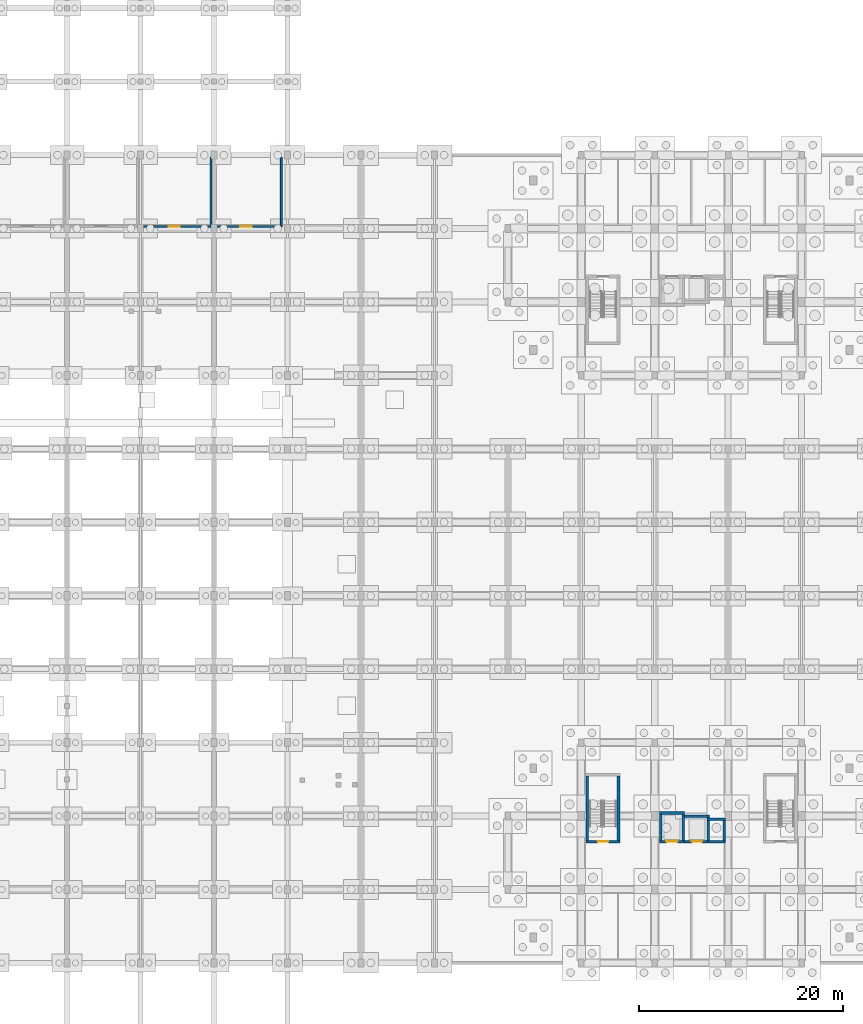
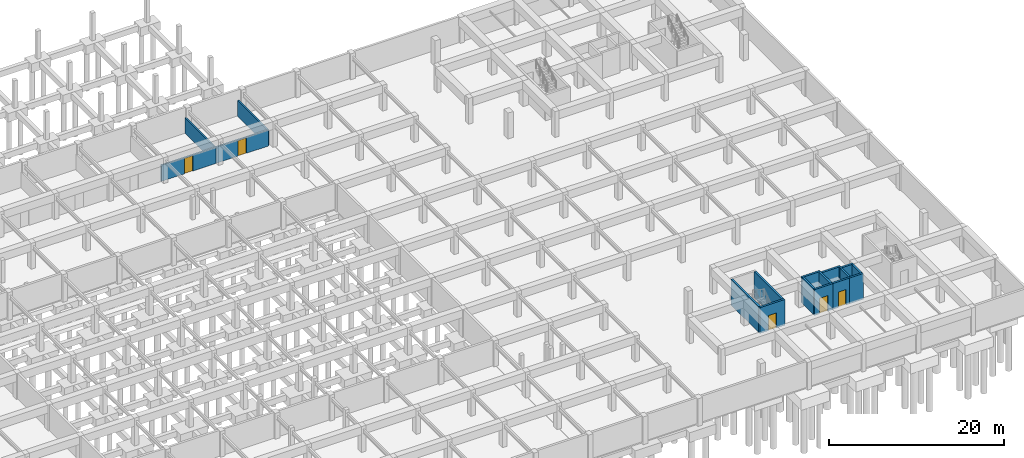
# One storey, part 29 of 36: 17 walls, 5 doors, 5 openings.
"""IFC4 building model written with IfcOpenShell, lengths in metres."""

from ifc_helpers import new_model, si_unit, direction, frame, frame_2d, origin, place, context, subcontext, project, spatial, rectangle, extrude, material, layer, layer_set, type_object, element, fill, save


model = new_model("IFC4")

# Units and contexts
model_context = context("Model", 3, precision=1e-05, world=origin(), true_north=direction((0.0, 1.0)))
body_context = subcontext(model_context, "Body", "Model", "MODEL_VIEW")
ifc_project = project(units=[si_unit("LENGTHUNIT", "METRE"), si_unit("AREAUNIT", "SQUARE_METRE"), si_unit("VOLUMEUNIT", "CUBIC_METRE"), si_unit("PLANEANGLEUNIT", "RADIAN"), si_unit("MASSUNIT", "GRAM", prefix="KILO")], contexts=[model_context])

# Site, building, storey
site_placement = place(None, origin())
site = spatial("IfcSite", under=ifc_project, at=site_placement, CompositionType="ELEMENT")
building_placement = place(site_placement, origin())
building = spatial("IfcBuilding", under=site, at=building_placement, Name="Ochrevale Crest", CompositionType="ELEMENT")
storey_placement = place(building_placement, frame((0.0, 0.0, -3.60009765625)))
storey = spatial("IfcBuildingStorey", under=building, at=storey_placement, Name="B1", CompositionType="ELEMENT", Elevation=-3.60009765625)

# Wall, opening, door
ifc_material_1 = material(Name="Precast concrete C50/60", Category="concrete")
ifc_layer_1 = layer(ifc_material_1, 0.2548828125)
ifc_layer_set_1 = layer_set([ifc_layer_1], Name="Precast concrete C50/60")
wall_type_1 = type_object("IfcWallType", Name="WL-CORE-255", PredefinedType="SHEAR", material=ifc_layer_set_1)
wall_1_placement = place(storey_placement, frame((137.2724609375, 26.300048828125, 0.0), z_axis=(0.0, 0.0, 1.0), x_axis=(1.0, 0.0, 0.0)))
wall_1 = element("IfcWall", 1, at=wall_1_placement, inside=storey, type_object=wall_type_1, Name="Block C B1 Stair 1 precast core shear wall S", PredefinedType="SHEAR", context=body_context, shape_type="SweptSolid", body=[
    extrude(rectangle(XDim=3.304931640625, YDim=0.2548828125, at=frame_2d((1.65234375, 0.0))), origin(), (0.0, 0.0, 1.0), 3.60009765625),
])
opening_1_placement = place(wall_1_placement, frame((2.177490234375, 0.0, 0.0), z_axis=(0.0, 0.0, 1.0), x_axis=(-1.0, 0.0, 0.0)))
opening_1 = element("IfcOpeningElement", 2, at=opening_1_placement, cuts=wall_1, Name="Opening FD03", PredefinedType="OPENING", context=body_context, shape_type="SweptSolid", body=[
    extrude(rectangle(XDim=1.050048828125, YDim=2.1201171875, at=frame_2d((0.52490234375, 1.06005859375))), frame((0.0, 0.137451171875, 0.0), z_axis=(0.0, -1.0, 0.0), x_axis=(1.0, 0.0, 0.0)), (0.0, 0.0, 1.0), 0.27490234375),
])
ifc_material_2 = material(Name="Solid-core FSC hardwood", Category="wood")
door_type_1 = type_object("IfcDoorType", Name="DR-ST-1050", OperationType="NOTDEFINED", PredefinedType="DOOR", material=ifc_material_2)
door_1_placement = place(opening_1_placement, origin())
door_1 = element("IfcDoor", 3, at=door_1_placement, inside=storey, type_object=door_type_1, Name="Block C B1 fire stair 1 door", OperationType="SINGLE_SWING_RIGHT", OverallHeight=2.1201171875, OverallWidth=1.050048828125, PredefinedType="DOOR", context=body_context, shape_type="SweptSolid", body=[
    extrude(rectangle(XDim=1.050048828125, YDim=2.1201171875, at=frame_2d((0.52490234375, 1.06005859375))), frame((0.0, 0.02490234375, 0.0), z_axis=(0.0, -1.0, 0.0), x_axis=(1.0, 0.0, 0.0)), (0.0, 0.0, 1.0), 0.050048828125),
])
fill(opening_1, door_1)

# Walls
for number, where, z_axis, x_axis, name in (
    (4, (137.39990234375, 26.427490234375, 0.0), (0.0, 0.0, 1.0), (0.0, 1.0, 0.0), "Block C B1 Stair 1 precast core shear wall W"),
    (5, (140.449951171875, 26.427490234375, 0.0), (0.0, 0.0, 1.0), (0.0, 1.0, 0.0), "Block C B1 Stair 1 precast core shear wall E"),
):
    element("IfcWall", number, at=place(storey_placement, frame(where, z_axis=z_axis, x_axis=x_axis)), inside=storey, type_object=wall_type_1, Name=name, PredefinedType="SHEAR", context=body_context, shape_type="SweptSolid", body=[
        extrude(rectangle(XDim=6.294921875, YDim=0.2548828125, at=frame_2d((3.1474609375, 0.0))), origin(), (0.0, 0.0, 1.0), 3.60009765625),
    ])

# Wall, opening, door
wall_2_placement = place(storey_placement, frame((144.472412109375, 26.300048828125, 0.0), z_axis=(0.0, 0.0, 1.0), x_axis=(1.0, 0.0, 0.0)))
wall_2 = element("IfcWall", 6, at=wall_2_placement, inside=storey, type_object=wall_type_1, Name="Block C B1 Lift 1 precast shaft shear wall S", PredefinedType="SHEAR", context=body_context, shape_type="SweptSolid", body=[
    extrude(rectangle(XDim=2.455078125, YDim=0.2548828125, at=frame_2d((1.2275390625, 0.0))), origin(), (0.0, 0.0, 1.0), 3.60009765625),
])
opening_2_placement = place(wall_2_placement, frame((0.677490234375, 0.0, 0.0)))
opening_2 = element("IfcOpeningElement", 7, at=opening_2_placement, cuts=wall_2, Name="Opening LD01", PredefinedType="OPENING", context=body_context, shape_type="SweptSolid", body=[
    extrude(rectangle(XDim=1.10009765625, YDim=2.14990234375, at=frame_2d((0.550048828125, 1.074951171875))), frame((0.0, 0.137451171875, 0.0), z_axis=(0.0, -1.0, 0.0), x_axis=(1.0, 0.0, 0.0)), (0.0, 0.0, 1.0), 0.27490234375),
])
door_type_2 = type_object("IfcDoorType", Name="DR-LIFT-1100", OperationType="NOTDEFINED", PredefinedType="DOOR", material=ifc_material_2)
door_2_placement = place(opening_2_placement, origin())
door_2 = element("IfcDoor", 8, at=door_2_placement, inside=storey, type_object=door_type_2, Name="Lift LF-C1 B1 sliding landing door", OperationType="SLIDING_TO_LEFT", OverallHeight=2.14990234375, OverallWidth=1.10009765625, PredefinedType="DOOR", context=body_context, shape_type="SweptSolid", body=[
    extrude(rectangle(XDim=1.10009765625, YDim=2.14990234375, at=frame_2d((0.550048828125, 1.074951171875))), frame((0.0, 0.02490234375, 0.0), z_axis=(0.0, -1.0, 0.0), x_axis=(1.0, 0.0, 0.0)), (0.0, 0.0, 1.0), 0.050048828125),
])
fill(opening_2, door_2)

# Walls
wall_3_placement = place(storey_placement, frame((144.472412109375, 29.10009765625, 0.0), z_axis=(0.0, 0.0, 1.0), x_axis=(1.0, 0.0, 0.0)))
element("IfcWall", 9, at=wall_3_placement, inside=storey, type_object=wall_type_1, Name="Block C B1 Lift 1 precast shaft shear wall N", PredefinedType="SHEAR", context=body_context, shape_type="SweptSolid", body=[
    extrude(rectangle(XDim=2.455078125, YDim=0.2548828125, at=frame_2d((1.2275390625, 0.0))), origin(), (0.0, 0.0, 1.0), 3.60009765625),
])
for number, where, z_axis, x_axis, name in (
    (10, (144.60009765625, 26.427490234375, 0.0), (0.0, 0.0, 1.0), (0.0, 1.0, 0.0), "Block C B1 Lift 1 precast shaft shear wall W"),
    (11, (146.800048828125, 26.427490234375, 0.0), (0.0, 0.0, 1.0), (0.0, 1.0, 0.0), "Block C B1 Lift 1 precast shaft shear wall E"),
):
    element("IfcWall", number, at=place(storey_placement, frame(where, z_axis=z_axis, x_axis=x_axis)), inside=storey, type_object=wall_type_1, Name=name, PredefinedType="SHEAR", context=body_context, shape_type="SweptSolid", body=[
        extrude(rectangle(XDim=2.544921875, YDim=0.2548828125, at=frame_2d((1.2724609375, 0.0))), origin(), (0.0, 0.0, 1.0), 3.60009765625),
    ])

# Wall, opening, door
wall_4_placement = place(storey_placement, frame((146.922607421875, 26.300048828125, 0.0), z_axis=(0.0, 0.0, 1.0), x_axis=(1.0, 0.0, 0.0)))
wall_4 = element("IfcWall", 12, at=wall_4_placement, inside=storey, type_object=wall_type_1, Name="Block C B1 Lift 2 precast shaft shear wall S", PredefinedType="SHEAR", context=body_context, shape_type="SweptSolid", body=[
    extrude(rectangle(XDim=2.454833984375, YDim=0.2548828125, at=frame_2d((1.2275390625, 0.0))), origin(), (0.0, 0.0, 1.0), 3.60009765625),
])
opening_3_placement = place(wall_4_placement, frame((0.7275390625, 0.0, 0.0)))
opening_3 = element("IfcOpeningElement", 13, at=opening_3_placement, cuts=wall_4, Name="Opening LD02", PredefinedType="OPENING", context=body_context, shape_type="SweptSolid", body=[
    extrude(rectangle(XDim=1.0, YDim=2.14990234375, at=frame_2d((0.5, 1.074951171875))), frame((0.0, 0.137451171875, 0.0), z_axis=(0.0, -1.0, 0.0), x_axis=(1.0, 0.0, 0.0)), (0.0, 0.0, 1.0), 0.27490234375),
])
door_type_3 = type_object("IfcDoorType", Name="DR-LIFT-1000", OperationType="NOTDEFINED", PredefinedType="DOOR", material=ifc_material_2)
door_3_placement = place(opening_3_placement, origin())
door_3 = element("IfcDoor", 14, at=door_3_placement, inside=storey, type_object=door_type_3, Name="Lift LP-C2 B1 sliding landing door", OperationType="SLIDING_TO_RIGHT", OverallHeight=2.14990234375, OverallWidth=1.0, PredefinedType="DOOR", context=body_context, shape_type="SweptSolid", body=[
    extrude(rectangle(XDim=1.0, YDim=2.14990234375, at=frame_2d((0.5, 1.074951171875))), frame((0.0, 0.02490234375, 0.0), z_axis=(0.0, -1.0, 0.0), x_axis=(1.0, 0.0, 0.0)), (0.0, 0.0, 1.0), 0.050048828125),
])
fill(opening_3, door_3)

# Walls
wall_5_placement = place(storey_placement, frame((146.922607421875, 28.800048828125, 0.0), z_axis=(0.0, 0.0, 1.0), x_axis=(1.0, 0.0, 0.0)))
element("IfcWall", 15, at=wall_5_placement, inside=storey, type_object=wall_type_1, Name="Block C B1 Lift 2 precast shaft shear wall N", PredefinedType="SHEAR", context=body_context, shape_type="SweptSolid", body=[
    extrude(rectangle(XDim=2.454833984375, YDim=0.2548828125, at=frame_2d((1.2275390625, 0.0))), origin(), (0.0, 0.0, 1.0), 3.60009765625),
])
wall_6_placement = place(storey_placement, frame((149.25, 26.427490234375, 0.0), z_axis=(0.0, 0.0, 1.0), x_axis=(0.0, 1.0, 0.0)))
element("IfcWall", 16, at=wall_6_placement, inside=storey, type_object=wall_type_1, Name="Block C B1 Lift 2 precast shaft shear wall E", PredefinedType="SHEAR", context=body_context, shape_type="SweptSolid", body=[
    extrude(rectangle(XDim=2.2451171875, YDim=0.2548828125, at=frame_2d((1.12255859375, 0.0))), origin(), (0.0, 0.0, 1.0), 3.60009765625),
])
for number, where, z_axis, x_axis, name in (
    (17, (149.12255859375, 26.300048828125, 0.0), (0.0, 0.0, 1.0), (1.0, 0.0, 0.0), "Block C B1 services riser shaft core wall S"),
    (18, (149.12255859375, 28.5, 0.0), (0.0, 0.0, 1.0), (1.0, 0.0, 0.0), "Block C B1 services riser shaft core wall N"),
):
    element("IfcWall", number, at=place(storey_placement, frame(where, z_axis=z_axis, x_axis=x_axis)), inside=storey, type_object=wall_type_1, Name=name, PredefinedType="SHEAR", context=body_context, shape_type="SweptSolid", body=[
        extrude(rectangle(XDim=1.804931640625, YDim=0.2548828125, at=frame_2d((0.90234375, 0.0))), origin(), (0.0, 0.0, 1.0), 3.60009765625),
    ])
wall_7_placement = place(storey_placement, frame((150.800048828125, 26.427490234375, 0.0), z_axis=(0.0, 0.0, 1.0), x_axis=(0.0, 1.0, 0.0)))
element("IfcWall", 19, at=wall_7_placement, inside=storey, type_object=wall_type_1, Name="Block C B1 services riser shaft core wall E", PredefinedType="SHEAR", context=body_context, shape_type="SweptSolid", body=[
    extrude(rectangle(XDim=1.945068359375, YDim=0.2548828125, at=frame_2d((0.97265625, 0.0))), origin(), (0.0, 0.0, 1.0), 3.60009765625),
])

# Wall, opening, door
ifc_material_3 = material(Name="Core-filled masonry blockwork", Category="masonry")
ifc_layer_2 = layer(ifc_material_3, 0.195068359375)
ifc_layer_set_2 = layer_set([ifc_layer_2], Name="Core-filled masonry blockwork")
wall_type_2 = type_object("IfcWallType", Name="WL-PLNT-195", PredefinedType="PARTITIONING", material=ifc_layer_set_2)
wall_8_placement = place(storey_placement, frame((93.300048828125, 86.60009765625, 0.0), z_axis=(0.0, 0.0, 1.0), x_axis=(1.0, 0.0, 0.0)))
wall_8 = element("IfcWall", 20, at=wall_8_placement, inside=storey, type_object=wall_type_2, Name="Central Heat-Pump Hot Water Plant front wall", PredefinedType="PARTITIONING", context=body_context, shape_type="SweptSolid", body=[
    extrude(rectangle(XDim=7.199951171875, YDim=0.195068359375, at=frame_2d((3.60009765625, 0.0))), origin(), (0.0, 0.0, 1.0), 2.25),
])
opening_4_placement = place(wall_8_placement, frame((4.16015625, 0.0, 0.0), z_axis=(0.0, 0.0, 1.0), x_axis=(-1.0, 0.0, 0.0)))
opening_4 = element("IfcOpeningElement", 21, at=opening_4_placement, cuts=wall_8, Name="Opening FD04", PredefinedType="OPENING", context=body_context, shape_type="SweptSolid", body=[
    extrude(rectangle(XDim=1.1201171875, YDim=2.14990234375, at=frame_2d((0.56005859375, 1.074951171875))), frame((0.0, 0.107421875, 0.0), z_axis=(0.0, -1.0, 0.0), x_axis=(1.0, 0.0, 0.0)), (0.0, 0.0, 1.0), 0.215087890625),
])
door_type_4 = type_object("IfcDoorType", Name="DR-FD-1100", OperationType="NOTDEFINED", PredefinedType="DOOR", material=ifc_material_2)
door_4_placement = place(opening_4_placement, origin())
door_4 = element("IfcDoor", 22, at=door_4_placement, inside=storey, type_object=door_type_4, Name="Central Heat-Pump Hot Water Plant door", OperationType="SINGLE_SWING_RIGHT", OverallHeight=2.14990234375, OverallWidth=1.1201171875, PredefinedType="DOOR", context=body_context, shape_type="SweptSolid", body=[
    extrude(rectangle(XDim=1.1201171875, YDim=2.14990234375, at=frame_2d((0.56005859375, 1.074951171875))), frame((0.0, 0.02490234375, 0.0), z_axis=(0.0, -1.0, 0.0), x_axis=(1.0, 0.0, 0.0)), (0.0, 0.0, 1.0), 0.050048828125),
])
fill(opening_4, door_4)

wall_9_placement = place(storey_placement, frame((100.5, 86.60009765625, 0.0), z_axis=(0.0, 0.0, 1.0), x_axis=(1.0, 0.0, 0.0)))
wall_9 = element("IfcWall", 23, at=wall_9_placement, inside=storey, type_object=wall_type_2, Name="Potable and Rainwater Tank Room front wall", PredefinedType="PARTITIONING", context=body_context, shape_type="SweptSolid", body=[
    extrude(rectangle(XDim=6.89990234375, YDim=0.195068359375, at=frame_2d((3.449951171875, 0.0))), origin(), (0.0, 0.0, 1.0), 2.25),
])
opening_5_placement = place(wall_9_placement, frame((2.889892578125, 0.0, 0.0)))
opening_5 = element("IfcOpeningElement", 24, at=opening_5_placement, cuts=wall_9, Name="Opening FD04", PredefinedType="OPENING", context=body_context, shape_type="SweptSolid", body=[
    extrude(rectangle(XDim=1.1201171875, YDim=2.14990234375, at=frame_2d((0.56005859375, 1.074951171875))), frame((0.0, 0.107421875, 0.0), z_axis=(0.0, -1.0, 0.0), x_axis=(1.0, 0.0, 0.0)), (0.0, 0.0, 1.0), 0.215087890625),
])
door_5_placement = place(opening_5_placement, origin())
door_5 = element("IfcDoor", 25, at=door_5_placement, inside=storey, type_object=door_type_4, Name="Potable and Rainwater Tank Room door", OperationType="SINGLE_SWING_LEFT", OverallHeight=2.14990234375, OverallWidth=1.1201171875, PredefinedType="DOOR", context=body_context, shape_type="SweptSolid", body=[
    extrude(rectangle(XDim=1.1201171875, YDim=2.14990234375, at=frame_2d((0.56005859375, 1.074951171875))), frame((0.0, 0.02490234375, 0.0), z_axis=(0.0, -1.0, 0.0), x_axis=(1.0, 0.0, 0.0)), (0.0, 0.0, 1.0), 0.050048828125),
])
fill(opening_5, door_5)

# Walls
for number, where, z_axis, x_axis, name in (
    (26, (100.5, 86.60009765625, 0.0), (0.0, 0.0, 1.0), (0.0, 1.0, 0.0), "B1 plant divider wall 6"),
    (27, (107.39990234375, 86.60009765625, 0.0), (0.0, 0.0, 1.0), (0.0, 1.0, 0.0), "B1 plant divider wall 7"),
):
    element("IfcWall", number, at=place(storey_placement, frame(where, z_axis=z_axis, x_axis=x_axis)), inside=storey, type_object=wall_type_2, Name=name, PredefinedType="PARTITIONING", context=body_context, shape_type="SweptSolid", body=[
        extrude(rectangle(XDim=6.7998046875, YDim=0.195068359375, at=frame_2d((3.39990234375, 0.0))), origin(), (0.0, 0.0, 1.0), 2.2001953125),
    ])

save(model, "model.ifc")
